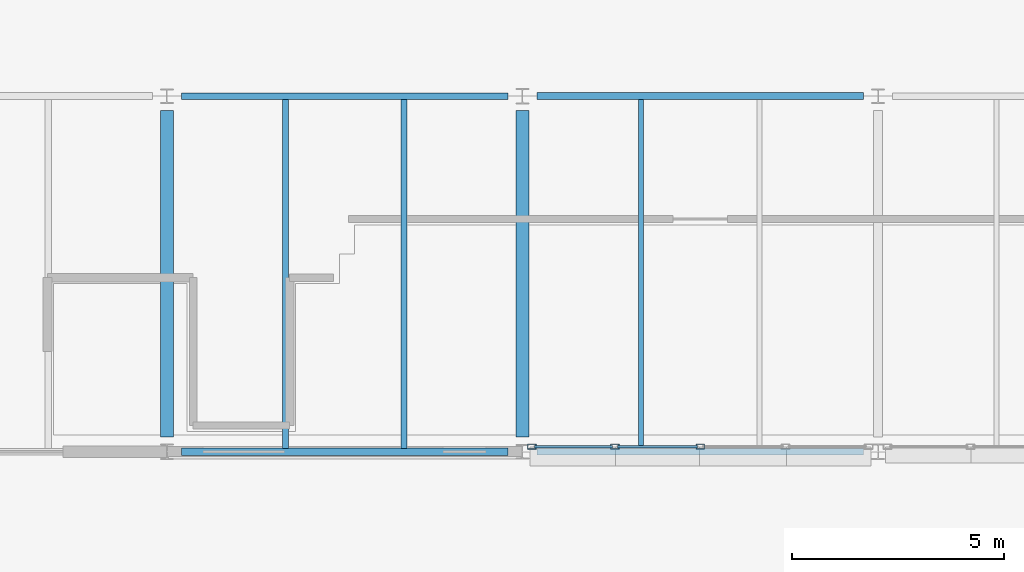
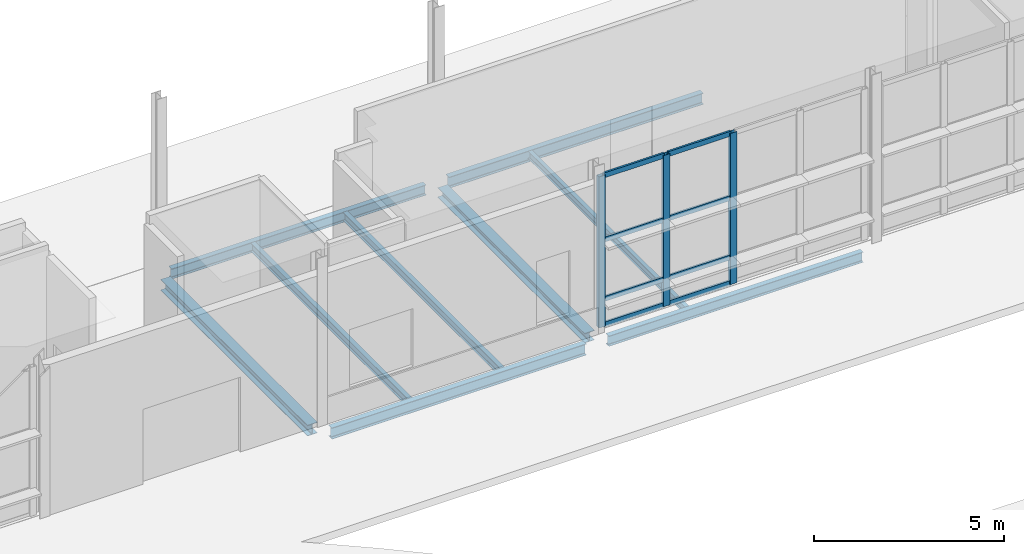
# One storey, part 21 of 124: 11 members, 9 beams, 1 element without a shape of its own.
"""IFC4 building model written with IfcOpenShell, lengths in metres."""

from ifc_helpers import new_model, si_unit, direction, frame, origin, origin_2d, place, context, subcontext, project, spatial, hollow_rectangle, i_section, extrude, material, material_profile, profile_set, type_object, element, aggregate, save


model = new_model("IFC4")

# Units and contexts
model_context = context("Model", 3, precision=1e-05, world=origin(), true_north=direction((0.0, 1.0)))
body_context = subcontext(model_context, "Body", "Model", "MODEL_VIEW")
ifc_project = project(units=[si_unit("LENGTHUNIT", "METRE"), si_unit("AREAUNIT", "SQUARE_METRE"), si_unit("VOLUMEUNIT", "CUBIC_METRE"), si_unit("PLANEANGLEUNIT", "RADIAN"), si_unit("MASSUNIT", "GRAM", prefix="KILO")], contexts=[model_context])

# Site, building, storey
site_placement = place(None, origin())
site = spatial("IfcSite", under=ifc_project, at=site_placement, CompositionType="ELEMENT")
building_placement = place(site_placement, origin())
building = spatial("IfcBuilding", under=site, at=building_placement, Name="Mersafa Astral City Hall", CompositionType="ELEMENT")
storey_placement = place(building_placement, origin())
storey = spatial("IfcBuildingStorey", under=building, at=storey_placement, Name="L00", CompositionType="ELEMENT", Elevation=0.0)

# Curtain wall, members
ifc_material_1 = material(Name="Anodised bronze aluminium framing", Category="aluminium")
curtain_wall_type = type_object("IfcCurtainWallType", Name="ENV-CW-1", PredefinedType="USERDEFINED", material=ifc_material_1)
curtain_wall_placement = place(storey_placement, origin())
curtain_wall = element("IfcCurtainWall", 1, at=curtain_wall_placement, inside=storey, type_object=curtain_wall_type, Name="L00 Unitised solar curtain wall 42", ObjectType="UNITISED CURTAIN WALL", PredefinedType="USERDEFINED")
ifc_material_profile_1 = material_profile(ifc_material_1, hollow_rectangle(XDim=0.1201171875, YDim=0.199951171875, WallThickness=0.008056640625, at=origin_2d()), Name="RHS 120x200x8")
ifc_profile_set_1 = profile_set([ifc_material_profile_1], Name="Anodised bronze aluminium framing")
member_type_1 = type_object("IfcMemberType", Name="ENV-CW-MUL-2", PredefinedType="MULLION", material=ifc_profile_set_1)
member_1_placement = place(storey_placement, frame((59.02197265625, 50.52001953125, -0.001953125), z_axis=(0.0, 0.0, 1.0), x_axis=(0.0, 1.0, 0.0)))
member_1 = element("IfcMember", 2, at=member_1_placement, type_object=member_type_1, Name="CW-1 mullion 1", PredefinedType="MULLION", context=body_context, shape_type="SweptSolid", body=[
    extrude(hollow_rectangle(XDim=0.1201171875, YDim=0.199951171875, WallThickness=0.008056640625, at=origin_2d()), origin(), (0.0, 0.0, 1.0), 4.843994140625),
])
member_2_placement = place(storey_placement, frame((60.98095703125, 50.52001953125, -0.001953125), z_axis=(0.0, 0.0, 1.0), x_axis=(0.0, 1.0, 0.0)))
member_2 = element("IfcMember", 3, at=member_2_placement, type_object=member_type_1, Name="CW-1 mullion 2", PredefinedType="MULLION", context=body_context, shape_type="SweptSolid", body=[
    extrude(hollow_rectangle(XDim=0.1201171875, YDim=0.199951171875, WallThickness=0.008056640625, at=origin_2d()), origin(), (0.0, 0.0, 1.0), 4.843994140625),
])
member_3_placement = place(storey_placement, frame((63.0, 50.52001953125, -0.001953125), z_axis=(0.0, 0.0, 1.0), x_axis=(0.0, 1.0, 0.0)))
member_3 = element("IfcMember", 4, at=member_3_placement, type_object=member_type_1, Name="CW-1 mullion 3", PredefinedType="MULLION", context=body_context, shape_type="SweptSolid", body=[
    extrude(hollow_rectangle(XDim=0.1201171875, YDim=0.199951171875, WallThickness=0.008056640625, at=origin_2d()), origin(), (0.0, 0.0, 1.0), 4.843994140625),
])
ifc_material_profile_2 = material_profile(ifc_material_1, hollow_rectangle(XDim=0.06005859375, YDim=0.159912109375, WallThickness=0.00390625, at=origin_2d()), Name="RHS 60x160x4")
ifc_profile_set_2 = profile_set([ifc_material_profile_2], Name="Anodised bronze aluminium framing")
member_type_2 = type_object("IfcMemberType", Name="ENV-CW-TRN-2", PredefinedType="USERDEFINED", material=ifc_profile_set_2)
member_4_placement = place(storey_placement, frame((59.08203125, 50.52001953125, 0.028076171875), z_axis=(1.0, 0.0, 0.0), x_axis=(0.0, 1.0, 0.0)))
member_4 = element("IfcMember", 5, at=member_4_placement, type_object=member_type_2, Name="CW-1 transom 1.1", ObjectType="TRANSOM", PredefinedType="USERDEFINED", context=body_context, shape_type="SweptSolid", body=[
    extrude(hollow_rectangle(XDim=0.06005859375, YDim=0.159912109375, WallThickness=0.00390625, at=origin_2d()), origin(), (0.0, 0.0, 1.0), 1.8388671875),
])
member_5_placement = place(storey_placement, frame((59.08203125, 50.52001953125, 0.85009765625), z_axis=(1.0, 0.0, 0.0), x_axis=(0.0, 1.0, 0.0)))
member_5 = element("IfcMember", 6, at=member_5_placement, type_object=member_type_2, Name="CW-1 transom 1.2", ObjectType="TRANSOM", PredefinedType="USERDEFINED", context=body_context, shape_type="SweptSolid", body=[
    extrude(hollow_rectangle(XDim=0.06005859375, YDim=0.159912109375, WallThickness=0.00390625, at=origin_2d()), origin(), (0.0, 0.0, 1.0), 1.8388671875),
])
member_6_placement = place(storey_placement, frame((59.08203125, 50.52001953125, 2.75), z_axis=(1.0, 0.0, 0.0), x_axis=(0.0, 1.0, 0.0)))
member_6 = element("IfcMember", 7, at=member_6_placement, type_object=member_type_2, Name="CW-1 transom 1.3", ObjectType="TRANSOM", PredefinedType="USERDEFINED", context=body_context, shape_type="SweptSolid", body=[
    extrude(hollow_rectangle(XDim=0.06005859375, YDim=0.159912109375, WallThickness=0.00390625, at=origin_2d()), origin(), (0.0, 0.0, 1.0), 1.8388671875),
])
member_7_placement = place(storey_placement, frame((59.08203125, 50.52001953125, 4.81201171875), z_axis=(1.0, 0.0, 0.0), x_axis=(0.0, 1.0, 0.0)))
member_7 = element("IfcMember", 8, at=member_7_placement, type_object=member_type_2, Name="CW-1 transom 1.4", ObjectType="TRANSOM", PredefinedType="USERDEFINED", context=body_context, shape_type="SweptSolid", body=[
    extrude(hollow_rectangle(XDim=0.06005859375, YDim=0.159912109375, WallThickness=0.00390625, at=origin_2d()), origin(), (0.0, 0.0, 1.0), 1.8388671875),
])
member_8_placement = place(storey_placement, frame((61.041015625, 50.52001953125, 0.028076171875), z_axis=(1.0, 0.0, 0.0), x_axis=(0.0, 1.0, 0.0)))
member_8 = element("IfcMember", 9, at=member_8_placement, type_object=member_type_2, Name="CW-1 transom 2.1", ObjectType="TRANSOM", PredefinedType="USERDEFINED", context=body_context, shape_type="SweptSolid", body=[
    extrude(hollow_rectangle(XDim=0.06005859375, YDim=0.159912109375, WallThickness=0.00390625, at=origin_2d()), origin(), (0.0, 0.0, 1.0), 1.89892578125),
])
member_9_placement = place(storey_placement, frame((61.041015625, 50.52001953125, 0.85009765625), z_axis=(1.0, 0.0, 0.0), x_axis=(0.0, 1.0, 0.0)))
member_9 = element("IfcMember", 10, at=member_9_placement, type_object=member_type_2, Name="CW-1 transom 2.2", ObjectType="TRANSOM", PredefinedType="USERDEFINED", context=body_context, shape_type="SweptSolid", body=[
    extrude(hollow_rectangle(XDim=0.06005859375, YDim=0.159912109375, WallThickness=0.00390625, at=origin_2d()), origin(), (0.0, 0.0, 1.0), 1.89892578125),
])
member_10_placement = place(storey_placement, frame((61.041015625, 50.52001953125, 2.75), z_axis=(1.0, 0.0, 0.0), x_axis=(0.0, 1.0, 0.0)))
member_10 = element("IfcMember", 11, at=member_10_placement, type_object=member_type_2, Name="CW-1 transom 2.3", ObjectType="TRANSOM", PredefinedType="USERDEFINED", context=body_context, shape_type="SweptSolid", body=[
    extrude(hollow_rectangle(XDim=0.06005859375, YDim=0.159912109375, WallThickness=0.00390625, at=origin_2d()), origin(), (0.0, 0.0, 1.0), 1.89892578125),
])
member_11_placement = place(storey_placement, frame((61.041015625, 50.52001953125, 4.81201171875), z_axis=(1.0, 0.0, 0.0), x_axis=(0.0, 1.0, 0.0)))
member_11 = element("IfcMember", 12, at=member_11_placement, type_object=member_type_2, Name="CW-1 transom 2.4", ObjectType="TRANSOM", PredefinedType="USERDEFINED", context=body_context, shape_type="SweptSolid", body=[
    extrude(hollow_rectangle(XDim=0.06005859375, YDim=0.159912109375, WallThickness=0.00390625, at=origin_2d()), origin(), (0.0, 0.0, 1.0), 1.89892578125),
])
aggregate(curtain_wall, [member_1, member_2, member_3, member_4, member_5, member_6, member_7, member_8, member_9, member_10, member_11])

# Beams
ifc_material_2 = material(Name="Steel S355", Category="steel")
ifc_material_profile_3 = material_profile(ifc_material_2, i_section(OverallWidth=0.300048828125, OverallDepth=0.31005859375, WebThickness=0.009033203125, FlangeThickness=0.015380859375, FilletRadius=0.027099609375, at=origin_2d()), Name="HEA 320")
ifc_profile_set_3 = profile_set([ifc_material_profile_3], Name="Steel S355")
beam_type_1 = type_object("IfcBeamType", Name="STR-BM-HEA320", PredefinedType="BEAM", material=ifc_profile_set_3)
beam_1_placement = place(storey_placement, frame((58.800048828125, 50.7451171875, -0.405029296875), z_axis=(0.0, 1.0, 0.0), x_axis=(-1.0, 0.0, 0.0)))
element("IfcBeam", 13, at=beam_1_placement, inside=storey, type_object=beam_type_1, Name="L00 Primary girder Y 7-6", PredefinedType="BEAM", context=body_context, shape_type="SweptSolid", body=[
    extrude(i_section(OverallWidth=0.300048828125, OverallDepth=0.31005859375, WebThickness=0.009033203125, FlangeThickness=0.015380859375, FilletRadius=0.027099609375, at=origin_2d()), origin(), (0.0, 0.0, 1.0), 7.7099609375),
])
ifc_material_profile_4 = material_profile(ifc_material_2, i_section(OverallWidth=0.300048828125, OverallDepth=0.35009765625, WebThickness=0.010009765625, FlangeThickness=0.017578125, FilletRadius=0.027099609375, at=origin_2d()), Name="HEA 360")
ifc_profile_set_4 = profile_set([ifc_material_profile_4], Name="Steel S355")
beam_type_2 = type_object("IfcBeamType", Name="STR-BM-HEA360", PredefinedType="BEAM", material=ifc_profile_set_4)
beam_2_placement = place(storey_placement, frame((50.39990234375, 50.7451171875, -0.425048828125), z_axis=(0.0, 1.0, 0.0), x_axis=(-1.0, 0.0, 0.0)))
element("IfcBeam", 14, at=beam_2_placement, inside=storey, type_object=beam_type_2, Name="L00 Primary girder Y 6-6", PredefinedType="BEAM", context=body_context, shape_type="SweptSolid", body=[
    extrude(i_section(OverallWidth=0.300048828125, OverallDepth=0.35009765625, WebThickness=0.010009765625, FlangeThickness=0.017578125, FilletRadius=0.027099609375, at=origin_2d()), origin(), (0.0, 0.0, 1.0), 7.7099609375),
])
ifc_material_profile_5 = material_profile(ifc_material_2, i_section(OverallWidth=0.1201171875, OverallDepth=0.239990234375, WebThickness=0.006103515625, FlangeThickness=0.009765625, FilletRadius=0.014892578125, at=origin_2d()), Name="IPE 240")
ifc_profile_set_5 = profile_set([ifc_material_profile_5], Name="Steel S355")
beam_type_3 = type_object("IfcBeamType", Name="STR-BM-JOIST-IPE240", PredefinedType="JOIST", material=ifc_profile_set_5)
beam_3_placement = place(storey_placement, frame((61.60009765625, 50.47509765625, -0.3701171875), z_axis=(0.0, 1.0, 0.0), x_axis=(-1.0, 0.0, 0.0)))
element("IfcBeam", 15, at=beam_3_placement, inside=storey, type_object=beam_type_3, Name="L00 Composite secondary floor joist 38", PredefinedType="JOIST", context=body_context, shape_type="SweptSolid", body=[
    extrude(i_section(OverallWidth=0.1201171875, OverallDepth=0.239990234375, WebThickness=0.006103515625, FlangeThickness=0.009765625, FilletRadius=0.014892578125, at=origin_2d()), origin(), (0.0, 0.0, 1.0), 8.244873046875),
])
ifc_material_profile_6 = material_profile(ifc_material_2, i_section(OverallWidth=0.135009765625, OverallDepth=0.27001953125, WebThickness=0.006591796875, FlangeThickness=0.01025390625, FilletRadius=0.014892578125, at=origin_2d()), Name="IPE 270")
ifc_profile_set_6 = profile_set([ifc_material_profile_6], Name="Steel S355")
beam_type_4 = type_object("IfcBeamType", Name="STR-BM-JOIST-IPE270", PredefinedType="JOIST", material=ifc_profile_set_6)
for number, where, z_axis, x_axis, name in (
    (16, (53.199951171875, 50.47998046875, -0.385009765625), (0.0, 1.0, 0.0), (-1.0, 0.0, 0.0), "L00 Composite secondary floor joist 32"),
    (17, (56.0, 50.47998046875, -0.385009765625), (0.0, 1.0, 0.0), (-1.0, 0.0, 0.0), "L00 Composite secondary floor joist 33"),
):
    element("IfcBeam", number, at=place(storey_placement, frame(where, z_axis=z_axis, x_axis=x_axis)), inside=storey, type_object=beam_type_4, Name=name, PredefinedType="JOIST", context=body_context, shape_type="SweptSolid", body=[
        extrude(i_section(OverallWidth=0.135009765625, OverallDepth=0.27001953125, WebThickness=0.006591796875, FlangeThickness=0.01025390625, FilletRadius=0.014892578125, at=origin_2d()), origin(), (0.0, 0.0, 1.0), 8.2451171875),
    ])
ifc_material_profile_7 = material_profile(ifc_material_2, i_section(OverallWidth=0.159912109375, OverallDepth=0.330078125, WebThickness=0.007568359375, FlangeThickness=0.011474609375, FilletRadius=0.01806640625, at=origin_2d()), Name="IPE 330")
ifc_profile_set_7 = profile_set([ifc_material_profile_7], Name="Steel S355")
beam_type_5 = type_object("IfcBeamType", Name="STR-BM-SPANDREL-IPE330", PredefinedType="SPANDREL", material=ifc_profile_set_7)
for number, where, z_axis, x_axis, name in (
    (18, (59.14501953125, 50.39990234375, -0.4150390625), (1.0, 0.0, 0.0), (0.0, 1.0, 0.0), "L00 Primary girder X 7-6"),
    (19, (50.7451171875, 58.800048828125, -0.4150390625), (1.0, 0.0, 0.0), (0.0, 1.0, 0.0), "L00 Primary girder X 6-7"),
):
    element("IfcBeam", number, at=place(storey_placement, frame(where, z_axis=z_axis, x_axis=x_axis)), inside=storey, type_object=beam_type_5, Name=name, PredefinedType="SPANDREL", context=body_context, shape_type="SweptSolid", body=[
        extrude(i_section(OverallWidth=0.159912109375, OverallDepth=0.330078125, WebThickness=0.007568359375, FlangeThickness=0.011474609375, FilletRadius=0.01806640625, at=origin_2d()), origin(), (0.0, 0.0, 1.0), 7.7099609375),
    ])
ifc_material_profile_8 = material_profile(ifc_material_2, i_section(OverallWidth=0.169921875, OverallDepth=0.360107421875, WebThickness=0.008056640625, FlangeThickness=0.0126953125, FilletRadius=0.01806640625, at=origin_2d()), Name="IPE 360")
ifc_profile_set_8 = profile_set([ifc_material_profile_8], Name="Steel S355")
beam_type_6 = type_object("IfcBeamType", Name="STR-BM-SPANDREL-IPE360", PredefinedType="SPANDREL", material=ifc_profile_set_8)
for number, where, z_axis, x_axis, name in (
    (20, (50.7451171875, 50.39990234375, -0.429931640625), (1.0, 0.0, 0.0), (0.0, 1.0, 0.0), "L00 Primary girder X 6-6"),
    (21, (59.14501953125, 58.800048828125, -0.429931640625), (1.0, 0.0, 0.0), (0.0, 1.0, 0.0), "L00 Primary girder X 7-7"),
):
    element("IfcBeam", number, at=place(storey_placement, frame(where, z_axis=z_axis, x_axis=x_axis)), inside=storey, type_object=beam_type_6, Name=name, PredefinedType="SPANDREL", context=body_context, shape_type="SweptSolid", body=[
        extrude(i_section(OverallWidth=0.169921875, OverallDepth=0.360107421875, WebThickness=0.008056640625, FlangeThickness=0.0126953125, FilletRadius=0.01806640625, at=origin_2d()), origin(), (0.0, 0.0, 1.0), 7.7099609375),
    ])

save(model, "model.ifc")
